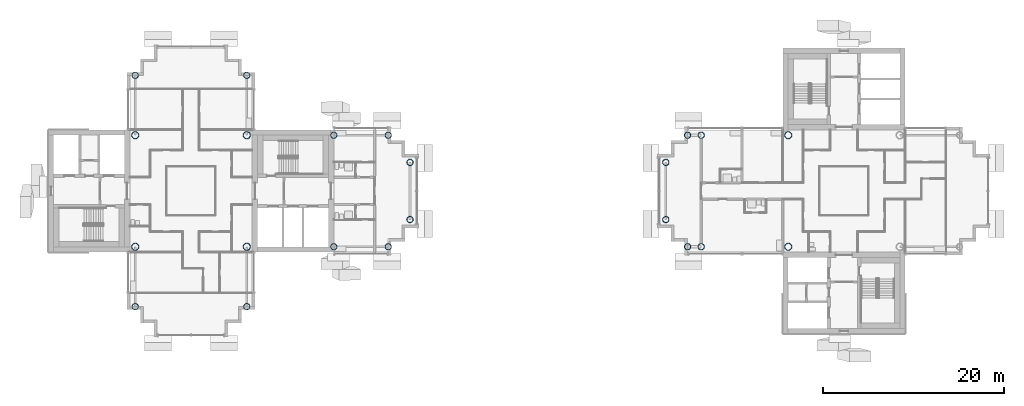
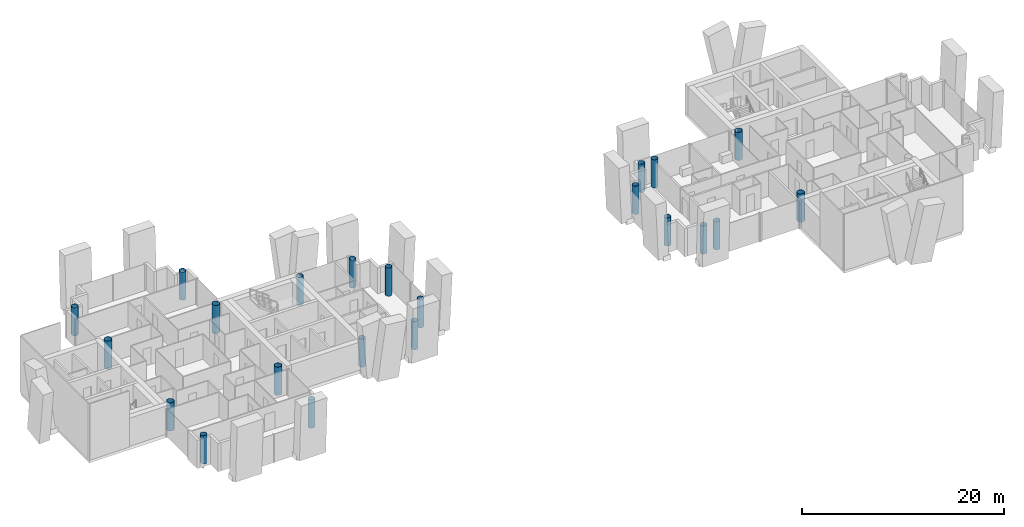
# One storey, part 1 of 18: 22 columns.
"""IFC4 building model written with IfcOpenShell, lengths in metres."""

from ifc_helpers import new_model, si_unit, direction, frame, origin, origin_2d, place, context, subcontext, project, spatial, hollow_circle, extrude, material, material_profile, profile_set, type_object, element, save


model = new_model("IFC4")

# Units and contexts
model_context = context("Model", 3, precision=1e-05, world=origin(), true_north=direction((0.0, 1.0)))
body_context = subcontext(model_context, "Body", "Model", "MODEL_VIEW")
ifc_project = project(units=[si_unit("LENGTHUNIT", "METRE"), si_unit("AREAUNIT", "SQUARE_METRE"), si_unit("VOLUMEUNIT", "CUBIC_METRE"), si_unit("PLANEANGLEUNIT", "RADIAN"), si_unit("MASSUNIT", "GRAM", prefix="KILO")], contexts=[model_context])

# Site, building, storey
site_placement = place(None, origin())
site = spatial("IfcSite", under=ifc_project, at=site_placement, CompositionType="ELEMENT")
building_placement = place(site_placement, origin())
building = spatial("IfcBuilding", under=site, at=building_placement, Name="Ipe Terrace Towers", CompositionType="ELEMENT")
storey_placement = place(building_placement, frame((0.0, 0.0, 209.60009765625)))
storey = spatial("IfcBuildingStorey", under=building, at=storey_placement, Name="L58", CompositionType="ELEMENT", Elevation=209.60009765625)

# Columns
ifc_material_1 = material(Name="Steel S355 tube with Concrete C60/75 fill", Category="concrete")
ifc_material_profile_1 = material_profile(ifc_material_1, hollow_circle(Radius=0.35009765625, WallThickness=0.02490234375, at=origin_2d()), Name="CHS-700x25")
ifc_profile_set_1 = profile_set([ifc_material_profile_1], Name="Steel S355 tube with Concrete C60/75 fill")
column_type_1 = type_object("IfcColumnType", Name="CH08 COLUMN CHS-700x25", PredefinedType="COLUMN", material=ifc_profile_set_1)
for number, where, z_axis, x_axis, name in (
    (1, (-20.25, -6.14990234375, 0.0), (0.0, 0.0, 1.0), (1.0, 0.0, 0.0), "Column T1-C-A01"),
    (2, (-20.25, 6.14990234375, 0.0), (0.0, 0.0, 1.0), (1.0, 0.0, 0.0), "Column T1-C-A02"),
    (3, (-14.25, -6.14990234375, 0.0), (0.0, 0.0, 1.0), (1.0, 0.0, 0.0), "Column T1-C-A03"),
    (4, (-14.25, 6.14990234375, 0.0), (0.0, 0.0, 1.0), (1.0, 0.0, 0.0), "Column T1-C-A04"),
    (5, (-11.85009765625, -3.14990234375, 0.0), (0.0, 0.0, 1.0), (1.0, 0.0, 0.0), "Column T1-C-A05"),
    (6, (-11.85009765625, 3.14990234375, 0.0), (0.0, 0.0, 1.0), (1.0, 0.0, 0.0), "Column T1-C-A06"),
    (7, (-29.85009765625, 12.75, 0.0), (0.0, 0.0, 1.0), (1.0, 0.0, 0.0), "Column T1-C-B01"),
    (8, (-42.14990234375, 12.75, 0.0), (0.0, 0.0, 1.0), (1.0, 0.0, 0.0), "Column T1-C-B02"),
    (9, (-42.14990234375, -12.75, 0.0), (0.0, 0.0, 1.0), (1.0, 0.0, 0.0), "Column T1-C-D01"),
    (10, (-29.85009765625, -12.75, 0.0), (0.0, 0.0, 1.0), (1.0, 0.0, 0.0), "Column T1-C-D02"),
    (11, (20.25, 6.14990234375, 0.0), (0.0, 0.0, 1.0), (1.0, 0.0, 0.0), "Column T2-C-B03"),
    (12, (20.25, -6.14990234375, 0.0), (0.0, 0.0, 1.0), (1.0, 0.0, 0.0), "Column T2-C-B04"),
    (13, (18.75, 6.14990234375, 0.0), (0.0, 0.0, 1.0), (1.0, 0.0, 0.0), "Column T2-C-B05"),
    (14, (18.75, -6.14990234375, 0.0), (0.0, 0.0, 1.0), (1.0, 0.0, 0.0), "Column T2-C-B06"),
    (15, (16.35009765625, 3.14990234375, 0.0), (0.0, 0.0, 1.0), (1.0, 0.0, 0.0), "Column T2-C-B07"),
    (16, (16.35009765625, -3.14990234375, 0.0), (0.0, 0.0, 1.0), (1.0, 0.0, 0.0), "Column T2-C-B08"),
):
    element("IfcColumn", number, at=place(storey_placement, frame(where, z_axis=z_axis, x_axis=x_axis)), inside=storey, type_object=column_type_1, Name=name, PredefinedType="COLUMN", context=body_context, shape_type="SweptSolid", body=[
        extrude(hollow_circle(Radius=0.35009765625, WallThickness=0.02490234375, at=origin_2d()), origin(), (0.0, 0.0, 1.0), 3.39990234375),
    ])
ifc_material_2 = material(Name="Steel S355 tube with Concrete C60/75 fill", Category="concrete")
ifc_material_profile_2 = material_profile(ifc_material_2, hollow_circle(Radius=0.39990234375, WallThickness=0.028076171875, at=origin_2d()), Name="CHS-800x28")
ifc_profile_set_2 = profile_set([ifc_material_profile_2], Name="Steel S355 tube with Concrete C60/75 fill")
column_type_2 = type_object("IfcColumnType", Name="CH09 COLUMN CHS-800x28", PredefinedType="COLUMN", material=ifc_profile_set_2)
for number, where, z_axis, x_axis, name in (
    (17, (-42.14990234375, -6.14990234375, 0.0), (0.0, 0.0, 1.0), (1.0, 0.0, 0.0), "Column T1-C-E01"),
    (18, (-29.85009765625, -6.14990234375, 0.0), (0.0, 0.0, 1.0), (1.0, 0.0, 0.0), "Column T1-C-E02"),
    (19, (-29.85009765625, 6.14990234375, 0.0), (0.0, 0.0, 1.0), (1.0, 0.0, 0.0), "Column T1-C-E03"),
    (20, (-42.14990234375, 6.14990234375, 0.0), (0.0, 0.0, 1.0), (1.0, 0.0, 0.0), "Column T1-C-E04"),
    (21, (29.85009765625, 6.14990234375, 0.0), (0.0, 0.0, 1.0), (1.0, 0.0, 0.0), "Column T2-C-E03"),
    (22, (29.85009765625, -6.14990234375, 0.0), (0.0, 0.0, 1.0), (1.0, 0.0, 0.0), "Column T2-C-E04"),
):
    element("IfcColumn", number, at=place(storey_placement, frame(where, z_axis=z_axis, x_axis=x_axis)), inside=storey, type_object=column_type_2, Name=name, PredefinedType="COLUMN", context=body_context, shape_type="SweptSolid", body=[
        extrude(hollow_circle(Radius=0.39990234375, WallThickness=0.028076171875, at=origin_2d()), origin(), (0.0, 0.0, 1.0), 3.39990234375),
    ])

save(model, "model.ifc")
